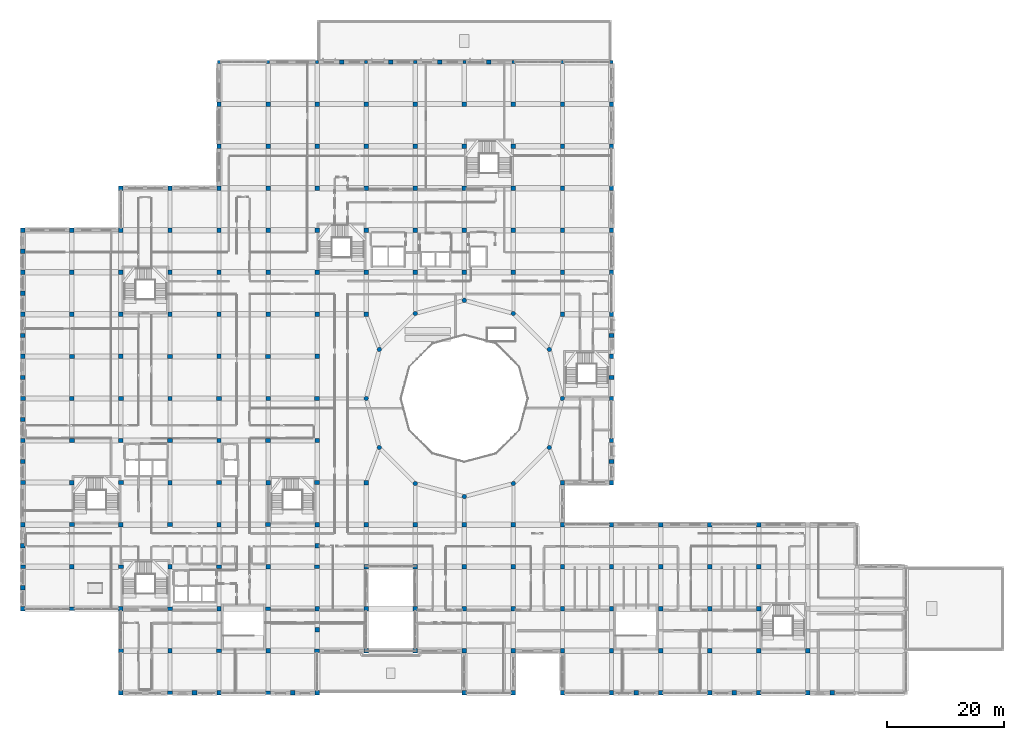
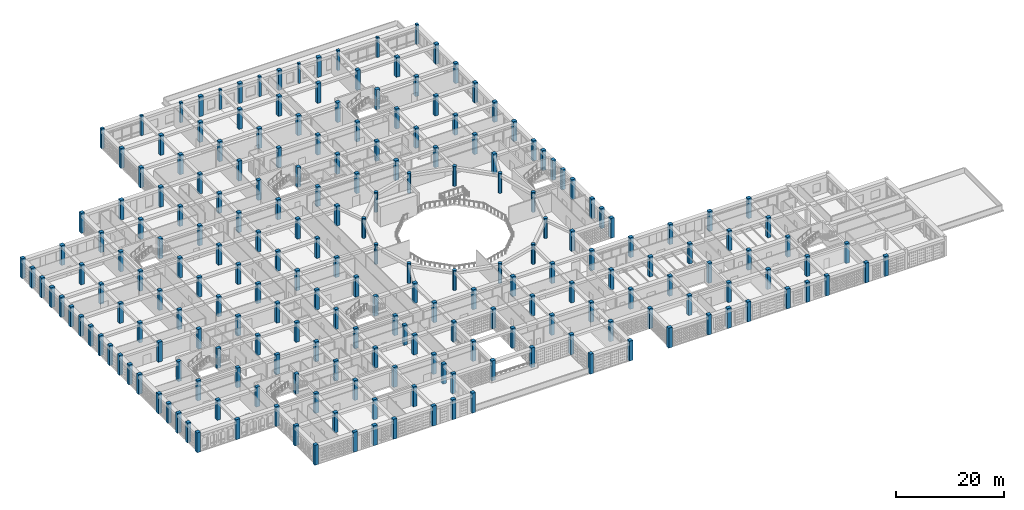
# One storey, part 1 of 111: 218 columns.
"""IFC4 building model written with IfcOpenShell, lengths in metres."""

from ifc_helpers import new_model, si_unit, derived_unit, direction, frame, origin, origin_2d, place, context, subcontext, project, spatial, rectangle, circle, extrude, material, material_profile, profile_set, type_object, element, save


model = new_model("IFC4")

# Units and contexts
model_context = context("Model", 3, precision=1e-05, world=origin(), true_north=direction((0.0, 1.0)))
body_context = subcontext(model_context, "Body", "Model", "MODEL_VIEW")
ifc_project = project(units=[si_unit("LENGTHUNIT", "METRE"), si_unit("AREAUNIT", "SQUARE_METRE"), si_unit("VOLUMEUNIT", "CUBIC_METRE"), si_unit("PLANEANGLEUNIT", "RADIAN"), si_unit("MASSUNIT", "GRAM", prefix="KILO"), derived_unit("THERMALTRANSMITTANCEUNIT", [(si_unit("POWERUNIT", "WATT"), 1), (si_unit("LENGTHUNIT", "METRE"), -2), (si_unit("THERMODYNAMICTEMPERATUREUNIT", "KELVIN"), -1)])], contexts=[model_context])

# Site, building, storey
site_placement = place(None, origin())
site = spatial("IfcSite", under=ifc_project, at=site_placement, CompositionType="ELEMENT")
building_placement = place(site_placement, origin())
building = spatial("IfcBuilding", under=site, at=building_placement, Name="Veybourne Emporium", CompositionType="ELEMENT")
storey_placement = place(building_placement, frame((0.0, 0.0, 9.89990234375)))
storey = spatial("IfcBuildingStorey", under=building, at=storey_placement, Name="L02", CompositionType="ELEMENT", Elevation=9.89990234375)

# Columns
ifc_material = material(Name="Concrete C40/50", Category="concrete")
ifc_material_profile_1 = material_profile(ifc_material, rectangle(XDim=0.75, YDim=0.75, at=origin_2d()), Name="RC 750x750")
ifc_profile_set_1 = profile_set([ifc_material_profile_1], Name="Concrete C40/50")
column_type_1 = type_object("IfcColumnType", Name="Col_C-03", PredefinedType="COLUMN", material=ifc_profile_set_1)
for number, where, z_axis, x_axis, name in (
    (1, (8.39990234375, 21.60009765625, 0.0), (0.0, 0.0, 1.0), (1.0, 0.0, 0.0), "Column C-03 L02 (1,3)"),
    (2, (8.39990234375, 36.0, 0.0), (0.0, 0.0, 1.0), (1.0, 0.0, 0.0), "Column C-03 L02 (1,5)"),
    (3, (8.39990234375, 50.39990234375, 0.0), (0.0, 0.0, 1.0), (1.0, 0.0, 0.0), "Column C-03 L02 (1,7)"),
    (4, (8.39990234375, 64.800048828125, 0.0), (0.0, 0.0, 1.0), (1.0, 0.0, 0.0), "Column C-03 L02 (1,9)"),
    (5, (8.39990234375, 72.0, 0.0), (0.0, 0.0, 1.0), (1.0, 0.0, 0.0), "Column C-03 L02 (1,10)"),
    (6, (8.39990234375, 79.199951171875, 0.0), (0.0, 0.0, 1.0), (1.0, 0.0, 0.0), "Column C-03 L02 (1,11)"),
    (7, (16.800048828125, 14.39990234375, 0.0), (0.0, 0.0, 1.0), (1.0, 0.0, 0.0), "Column C-03 L02 (2,2)"),
    (8, (16.800048828125, 28.800048828125, 0.0), (0.0, 0.0, 1.0), (1.0, 0.0, 0.0), "Column C-03 L02 (2,4)"),
    (9, (16.800048828125, 43.199951171875, 0.0), (0.0, 0.0, 1.0), (1.0, 0.0, 0.0), "Column C-03 L02 (2,6)"),
    (10, (16.800048828125, 57.60009765625, 0.0), (0.0, 0.0, 1.0), (1.0, 0.0, 0.0), "Column C-03 L02 (2,8)"),
    (11, (16.800048828125, 64.800048828125, 0.0), (0.0, 0.0, 1.0), (1.0, 0.0, 0.0), "Column C-03 L02 (2,9)"),
    (12, (16.800048828125, 72.0, 0.0), (0.0, 0.0, 1.0), (1.0, 0.0, 0.0), "Column C-03 L02 (2,10)"),
    (13, (16.800048828125, 79.199951171875, 0.0), (0.0, 0.0, 1.0), (1.0, 0.0, 0.0), "Column C-03 L02 (2,11)"),
    (14, (16.800048828125, 86.39990234375, 0.0), (0.0, 0.0, 1.0), (1.0, 0.0, 0.0), "Column C-03 L02 (2,12)"),
    (15, (25.199951171875, 7.199951171875, 0.0), (0.0, 0.0, 1.0), (1.0, 0.0, 0.0), "Column C-03 L02 (3,1)"),
    (16, (25.199951171875, 21.60009765625, 0.0), (0.0, 0.0, 1.0), (1.0, 0.0, 0.0), "Column C-03 L02 (3,3)"),
    (17, (25.199951171875, 36.0, 0.0), (0.0, 0.0, 1.0), (1.0, 0.0, 0.0), "Column C-03 L02 (3,5)"),
    (18, (25.199951171875, 50.39990234375, 0.0), (0.0, 0.0, 1.0), (1.0, 0.0, 0.0), "Column C-03 L02 (3,7)"),
    (19, (25.199951171875, 64.800048828125, 0.0), (0.0, 0.0, 1.0), (1.0, 0.0, 0.0), "Column C-03 L02 (3,9)"),
    (20, (25.199951171875, 72.0, 0.0), (0.0, 0.0, 1.0), (1.0, 0.0, 0.0), "Column C-03 L02 (3,10)"),
    (21, (25.199951171875, 79.199951171875, 0.0), (0.0, 0.0, 1.0), (1.0, 0.0, 0.0), "Column C-03 L02 (3,11)"),
    (22, (25.199951171875, 86.39990234375, 0.0), (0.0, 0.0, 1.0), (1.0, 0.0, 0.0), "Column C-03 L02 (3,12)"),
    (23, (33.60009765625, 14.39990234375, 0.0), (0.0, 0.0, 1.0), (1.0, 0.0, 0.0), "Column C-03 L02 (4,2)"),
    (24, (33.60009765625, 28.800048828125, 0.0), (0.0, 0.0, 1.0), (1.0, 0.0, 0.0), "Column C-03 L02 (4,4)"),
    (25, (33.60009765625, 43.199951171875, 0.0), (0.0, 0.0, 1.0), (1.0, 0.0, 0.0), "Column C-03 L02 (4,6)"),
    (26, (33.60009765625, 57.60009765625, 0.0), (0.0, 0.0, 1.0), (1.0, 0.0, 0.0), "Column C-03 L02 (4,8)"),
    (27, (33.60009765625, 64.800048828125, 0.0), (0.0, 0.0, 1.0), (1.0, 0.0, 0.0), "Column C-03 L02 (4,9)"),
    (28, (33.60009765625, 72.0, 0.0), (0.0, 0.0, 1.0), (1.0, 0.0, 0.0), "Column C-03 L02 (4,10)"),
    (29, (33.60009765625, 79.199951171875, 0.0), (0.0, 0.0, 1.0), (1.0, 0.0, 0.0), "Column C-03 L02 (4,11)"),
    (30, (33.60009765625, 86.39990234375, 0.0), (0.0, 0.0, 1.0), (1.0, 0.0, 0.0), "Column C-03 L02 (4,12)"),
    (31, (33.60009765625, 93.60009765625, 0.0), (0.0, 0.0, 1.0), (1.0, 0.0, 0.0), "Column C-03 L02 (4,13)"),
    (32, (33.60009765625, 100.800048828125, 0.0), (0.0, 0.0, 1.0), (1.0, 0.0, 0.0), "Column C-03 L02 (4,14)"),
    (33, (42.0, 7.199951171875, 0.0), (0.0, 0.0, 1.0), (1.0, 0.0, 0.0), "Column C-03 L02 (5,1)"),
    (34, (42.0, 21.60009765625, 0.0), (0.0, 0.0, 1.0), (1.0, 0.0, 0.0), "Column C-03 L02 (5,3)"),
    (35, (42.0, 36.0, 0.0), (0.0, 0.0, 1.0), (1.0, 0.0, 0.0), "Column C-03 L02 (5,5)"),
    (36, (42.0, 50.39990234375, 0.0), (0.0, 0.0, 1.0), (1.0, 0.0, 0.0), "Column C-03 L02 (5,7)"),
    (37, (42.0, 64.800048828125, 0.0), (0.0, 0.0, 1.0), (1.0, 0.0, 0.0), "Column C-03 L02 (5,9)"),
    (38, (42.0, 72.0, 0.0), (0.0, 0.0, 1.0), (1.0, 0.0, 0.0), "Column C-03 L02 (5,10)"),
    (39, (42.0, 79.199951171875, 0.0), (0.0, 0.0, 1.0), (1.0, 0.0, 0.0), "Column C-03 L02 (5,11)"),
    (40, (42.0, 86.39990234375, 0.0), (0.0, 0.0, 1.0), (1.0, 0.0, 0.0), "Column C-03 L02 (5,12)"),
    (41, (42.0, 93.60009765625, 0.0), (0.0, 0.0, 1.0), (1.0, 0.0, 0.0), "Column C-03 L02 (5,13)"),
    (42, (42.0, 100.800048828125, 0.0), (0.0, 0.0, 1.0), (1.0, 0.0, 0.0), "Column C-03 L02 (5,14)"),
    (43, (50.39990234375, 14.39990234375, 0.0), (0.0, 0.0, 1.0), (1.0, 0.0, 0.0), "Column C-03 L02 (6,2)"),
    (44, (50.39990234375, 28.800048828125, 0.0), (0.0, 0.0, 1.0), (1.0, 0.0, 0.0), "Column C-03 L02 (6,4)"),
    (45, (50.39990234375, 43.199951171875, 0.0), (0.0, 0.0, 1.0), (1.0, 0.0, 0.0), "Column C-03 L02 (6,6)"),
    (46, (50.39990234375, 57.60009765625, 0.0), (0.0, 0.0, 1.0), (1.0, 0.0, 0.0), "Column C-03 L02 (6,8)"),
    (47, (50.39990234375, 64.800048828125, 0.0), (0.0, 0.0, 1.0), (1.0, 0.0, 0.0), "Column C-03 L02 (6,9)"),
    (48, (50.39990234375, 72.0, 0.0), (0.0, 0.0, 1.0), (1.0, 0.0, 0.0), "Column C-03 L02 (6,10)"),
    (49, (50.39990234375, 79.199951171875, 0.0), (0.0, 0.0, 1.0), (1.0, 0.0, 0.0), "Column C-03 L02 (6,11)"),
    (50, (50.39990234375, 86.39990234375, 0.0), (0.0, 0.0, 1.0), (1.0, 0.0, 0.0), "Column C-03 L02 (6,12)"),
    (51, (50.39990234375, 93.60009765625, 0.0), (0.0, 0.0, 1.0), (1.0, 0.0, 0.0), "Column C-03 L02 (6,13)"),
    (52, (50.39990234375, 100.800048828125, 0.0), (0.0, 0.0, 1.0), (1.0, 0.0, 0.0), "Column C-03 L02 (6,14)"),
    (53, (58.800048828125, 7.199951171875, 0.0), (0.0, 0.0, 1.0), (1.0, 0.0, 0.0), "Column C-03 L02 (7,1)"),
    (54, (58.800048828125, 14.39990234375, 0.0), (0.0, 0.0, 1.0), (1.0, 0.0, 0.0), "Column C-03 L02 (7,2)"),
    (55, (58.800048828125, 21.60009765625, 0.0), (0.0, 0.0, 1.0), (1.0, 0.0, 0.0), "Column C-03 L02 (7,3)"),
    (56, (58.800048828125, 28.800048828125, 0.0), (0.0, 0.0, 1.0), (1.0, 0.0, 0.0), "Column C-03 L02 (7,4)"),
    (57, (58.800048828125, 36.0, 0.0), (0.0, 0.0, 1.0), (1.0, 0.0, 0.0), "Column C-03 L02 (7,5)"),
    (58, (58.800048828125, 64.800048828125, 0.0), (0.0, 0.0, 1.0), (1.0, 0.0, 0.0), "Column C-03 L02 (7,9)"),
    (59, (58.800048828125, 72.0, 0.0), (0.0, 0.0, 1.0), (1.0, 0.0, 0.0), "Column C-03 L02 (7,10)"),
    (60, (58.800048828125, 79.199951171875, 0.0), (0.0, 0.0, 1.0), (1.0, 0.0, 0.0), "Column C-03 L02 (7,11)"),
    (61, (58.800048828125, 86.39990234375, 0.0), (0.0, 0.0, 1.0), (1.0, 0.0, 0.0), "Column C-03 L02 (7,12)"),
    (62, (58.800048828125, 93.60009765625, 0.0), (0.0, 0.0, 1.0), (1.0, 0.0, 0.0), "Column C-03 L02 (7,13)"),
    (63, (58.800048828125, 100.800048828125, 0.0), (0.0, 0.0, 1.0), (1.0, 0.0, 0.0), "Column C-03 L02 (7,14)"),
    (64, (67.199951171875, 7.199951171875, 0.0), (0.0, 0.0, 1.0), (1.0, 0.0, 0.0), "Column C-03 L02 (8,1)"),
    (65, (67.199951171875, 14.39990234375, 0.0), (0.0, 0.0, 1.0), (1.0, 0.0, 0.0), "Column C-03 L02 (8,2)"),
    (66, (67.199951171875, 21.60009765625, 0.0), (0.0, 0.0, 1.0), (1.0, 0.0, 0.0), "Column C-03 L02 (8,3)"),
    (67, (67.199951171875, 28.800048828125, 0.0), (0.0, 0.0, 1.0), (1.0, 0.0, 0.0), "Column C-03 L02 (8,4)"),
    (68, (67.199951171875, 72.0, 0.0), (0.0, 0.0, 1.0), (1.0, 0.0, 0.0), "Column C-03 L02 (8,10)"),
    (69, (67.199951171875, 79.199951171875, 0.0), (0.0, 0.0, 1.0), (1.0, 0.0, 0.0), "Column C-03 L02 (8,11)"),
    (70, (67.199951171875, 86.39990234375, 0.0), (0.0, 0.0, 1.0), (1.0, 0.0, 0.0), "Column C-03 L02 (8,12)"),
    (71, (67.199951171875, 93.60009765625, 0.0), (0.0, 0.0, 1.0), (1.0, 0.0, 0.0), "Column C-03 L02 (8,13)"),
    (72, (67.199951171875, 100.800048828125, 0.0), (0.0, 0.0, 1.0), (1.0, 0.0, 0.0), "Column C-03 L02 (8,14)"),
    (73, (75.60009765625, 7.199951171875, 0.0), (0.0, 0.0, 1.0), (1.0, 0.0, 0.0), "Column C-03 L02 (9,1)"),
    (74, (75.60009765625, 14.39990234375, 0.0), (0.0, 0.0, 1.0), (1.0, 0.0, 0.0), "Column C-03 L02 (9,2)"),
    (75, (75.60009765625, 21.60009765625, 0.0), (0.0, 0.0, 1.0), (1.0, 0.0, 0.0), "Column C-03 L02 (9,3)"),
    (76, (75.60009765625, 28.800048828125, 0.0), (0.0, 0.0, 1.0), (1.0, 0.0, 0.0), "Column C-03 L02 (9,4)"),
    (77, (75.60009765625, 72.0, 0.0), (0.0, 0.0, 1.0), (1.0, 0.0, 0.0), "Column C-03 L02 (9,10)"),
    (78, (75.60009765625, 79.199951171875, 0.0), (0.0, 0.0, 1.0), (1.0, 0.0, 0.0), "Column C-03 L02 (9,11)"),
    (79, (75.60009765625, 86.39990234375, 0.0), (0.0, 0.0, 1.0), (1.0, 0.0, 0.0), "Column C-03 L02 (9,12)"),
    (80, (75.60009765625, 93.60009765625, 0.0), (0.0, 0.0, 1.0), (1.0, 0.0, 0.0), "Column C-03 L02 (9,13)"),
    (81, (75.60009765625, 100.800048828125, 0.0), (0.0, 0.0, 1.0), (1.0, 0.0, 0.0), "Column C-03 L02 (9,14)"),
    (82, (84.0, 7.199951171875, 0.0), (0.0, 0.0, 1.0), (1.0, 0.0, 0.0), "Column C-03 L02 (10,1)"),
    (83, (84.0, 14.39990234375, 0.0), (0.0, 0.0, 1.0), (1.0, 0.0, 0.0), "Column C-03 L02 (10,2)"),
    (84, (84.0, 21.60009765625, 0.0), (0.0, 0.0, 1.0), (1.0, 0.0, 0.0), "Column C-03 L02 (10,3)"),
    (85, (84.0, 28.800048828125, 0.0), (0.0, 0.0, 1.0), (1.0, 0.0, 0.0), "Column C-03 L02 (10,4)"),
    (86, (84.0, 72.0, 0.0), (0.0, 0.0, 1.0), (1.0, 0.0, 0.0), "Column C-03 L02 (10,10)"),
    (87, (84.0, 79.199951171875, 0.0), (0.0, 0.0, 1.0), (1.0, 0.0, 0.0), "Column C-03 L02 (10,11)"),
    (88, (84.0, 86.39990234375, 0.0), (0.0, 0.0, 1.0), (1.0, 0.0, 0.0), "Column C-03 L02 (10,12)"),
    (89, (84.0, 93.60009765625, 0.0), (0.0, 0.0, 1.0), (1.0, 0.0, 0.0), "Column C-03 L02 (10,13)"),
    (90, (84.0, 100.800048828125, 0.0), (0.0, 0.0, 1.0), (1.0, 0.0, 0.0), "Column C-03 L02 (10,14)"),
    (91, (92.39990234375, 7.199951171875, 0.0), (0.0, 0.0, 1.0), (1.0, 0.0, 0.0), "Column C-03 L02 (11,1)"),
    (92, (92.39990234375, 14.39990234375, 0.0), (0.0, 0.0, 1.0), (1.0, 0.0, 0.0), "Column C-03 L02 (11,2)"),
    (93, (92.39990234375, 21.60009765625, 0.0), (0.0, 0.0, 1.0), (1.0, 0.0, 0.0), "Column C-03 L02 (11,3)"),
    (94, (92.39990234375, 28.800048828125, 0.0), (0.0, 0.0, 1.0), (1.0, 0.0, 0.0), "Column C-03 L02 (11,4)"),
    (95, (92.39990234375, 36.0, 0.0), (0.0, 0.0, 1.0), (1.0, 0.0, 0.0), "Column C-03 L02 (11,5)"),
    (96, (92.39990234375, 64.800048828125, 0.0), (0.0, 0.0, 1.0), (1.0, 0.0, 0.0), "Column C-03 L02 (11,9)"),
    (97, (92.39990234375, 72.0, 0.0), (0.0, 0.0, 1.0), (1.0, 0.0, 0.0), "Column C-03 L02 (11,10)"),
    (98, (92.39990234375, 79.199951171875, 0.0), (0.0, 0.0, 1.0), (1.0, 0.0, 0.0), "Column C-03 L02 (11,11)"),
    (99, (92.39990234375, 86.39990234375, 0.0), (0.0, 0.0, 1.0), (1.0, 0.0, 0.0), "Column C-03 L02 (11,12)"),
    (100, (92.39990234375, 93.60009765625, 0.0), (0.0, 0.0, 1.0), (1.0, 0.0, 0.0), "Column C-03 L02 (11,13)"),
    (101, (92.39990234375, 100.800048828125, 0.0), (0.0, 0.0, 1.0), (1.0, 0.0, 0.0), "Column C-03 L02 (11,14)"),
    (102, (100.800048828125, 7.199951171875, 0.0), (0.0, 0.0, 1.0), (1.0, 0.0, 0.0), "Column C-03 L02 (12,1)"),
    (103, (100.800048828125, 14.39990234375, 0.0), (0.0, 0.0, 1.0), (1.0, 0.0, 0.0), "Column C-03 L02 (12,2)"),
    (104, (100.800048828125, 21.60009765625, 0.0), (0.0, 0.0, 1.0), (1.0, 0.0, 0.0), "Column C-03 L02 (12,3)"),
    (105, (100.800048828125, 28.800048828125, 0.0), (0.0, 0.0, 1.0), (1.0, 0.0, 0.0), "Column C-03 L02 (12,4)"),
    (106, (100.800048828125, 36.0, 0.0), (0.0, 0.0, 1.0), (1.0, 0.0, 0.0), "Column C-03 L02 (12,5)"),
    (107, (100.800048828125, 43.199951171875, 0.0), (0.0, 0.0, 1.0), (1.0, 0.0, 0.0), "Column C-03 L02 (12,6)"),
    (108, (100.800048828125, 50.39990234375, 0.0), (0.0, 0.0, 1.0), (1.0, 0.0, 0.0), "Column C-03 L02 (12,7)"),
    (109, (100.800048828125, 57.60009765625, 0.0), (0.0, 0.0, 1.0), (1.0, 0.0, 0.0), "Column C-03 L02 (12,8)"),
    (110, (100.800048828125, 64.800048828125, 0.0), (0.0, 0.0, 1.0), (1.0, 0.0, 0.0), "Column C-03 L02 (12,9)"),
    (111, (100.800048828125, 72.0, 0.0), (0.0, 0.0, 1.0), (1.0, 0.0, 0.0), "Column C-03 L02 (12,10)"),
    (112, (100.800048828125, 79.199951171875, 0.0), (0.0, 0.0, 1.0), (1.0, 0.0, 0.0), "Column C-03 L02 (12,11)"),
    (113, (100.800048828125, 86.39990234375, 0.0), (0.0, 0.0, 1.0), (1.0, 0.0, 0.0), "Column C-03 L02 (12,12)"),
    (114, (100.800048828125, 93.60009765625, 0.0), (0.0, 0.0, 1.0), (1.0, 0.0, 0.0), "Column C-03 L02 (12,13)"),
    (115, (100.800048828125, 100.800048828125, 0.0), (0.0, 0.0, 1.0), (1.0, 0.0, 0.0), "Column C-03 L02 (12,14)"),
    (116, (109.199951171875, 7.199951171875, 0.0), (0.0, 0.0, 1.0), (1.0, 0.0, 0.0), "Column C-03 L02 (13,1)"),
    (117, (109.199951171875, 14.39990234375, 0.0), (0.0, 0.0, 1.0), (1.0, 0.0, 0.0), "Column C-03 L02 (13,2)"),
    (118, (109.199951171875, 21.60009765625, 0.0), (0.0, 0.0, 1.0), (1.0, 0.0, 0.0), "Column C-03 L02 (13,3)"),
    (119, (109.199951171875, 28.800048828125, 0.0), (0.0, 0.0, 1.0), (1.0, 0.0, 0.0), "Column C-03 L02 (13,4)"),
    (120, (117.60009765625, 7.199951171875, 0.0), (0.0, 0.0, 1.0), (1.0, 0.0, 0.0), "Column C-03 L02 (14,1)"),
    (121, (117.60009765625, 14.39990234375, 0.0), (0.0, 0.0, 1.0), (1.0, 0.0, 0.0), "Column C-03 L02 (14,2)"),
    (122, (117.60009765625, 21.60009765625, 0.0), (0.0, 0.0, 1.0), (1.0, 0.0, 0.0), "Column C-03 L02 (14,3)"),
    (123, (117.60009765625, 28.800048828125, 0.0), (0.0, 0.0, 1.0), (1.0, 0.0, 0.0), "Column C-03 L02 (14,4)"),
    (124, (126.0, 7.199951171875, 0.0), (0.0, 0.0, 1.0), (1.0, 0.0, 0.0), "Column C-03 L02 (15,1)"),
    (125, (126.0, 14.39990234375, 0.0), (0.0, 0.0, 1.0), (1.0, 0.0, 0.0), "Column C-03 L02 (15,2)"),
    (126, (126.0, 21.60009765625, 0.0), (0.0, 0.0, 1.0), (1.0, 0.0, 0.0), "Column C-03 L02 (15,3)"),
    (127, (126.0, 28.800048828125, 0.0), (0.0, 0.0, 1.0), (1.0, 0.0, 0.0), "Column C-03 L02 (15,4)"),
    (128, (134.39990234375, 7.199951171875, 0.0), (0.0, 0.0, 1.0), (1.0, 0.0, 0.0), "Column C-03 L02 (16,1)"),
):
    element("IfcColumn", number, at=place(storey_placement, frame(where, z_axis=z_axis, x_axis=x_axis)), inside=storey, type_object=column_type_1, Name=name, PredefinedType="COLUMN", context=body_context, shape_type="SweptSolid", body=[
        extrude(rectangle(XDim=0.75, YDim=0.75, at=origin_2d()), origin(), (0.0, 0.0, 1.0), 4.5),
    ])
ifc_material_profile_2 = material_profile(ifc_material, rectangle(XDim=0.550048828125, YDim=0.550048828125, at=origin_2d()), Name="RC 550x550")
ifc_profile_set_2 = profile_set([ifc_material_profile_2], Name="Concrete C40/50")
column_type_2 = type_object("IfcColumnType", Name="Col_C-07", PredefinedType="COLUMN", material=ifc_profile_set_2)
for number, where, z_axis, x_axis, name in (
    (129, (33.60009765625, 108.0, 0.0), (0.0, 0.0, 1.0), (1.0, 0.0, 0.0), "Column C-07 L02 (4,15)"),
    (130, (50.39990234375, 108.0, 0.0), (0.0, 0.0, 1.0), (1.0, 0.0, 0.0), "Column C-07 L02 (6,15)"),
    (131, (67.199951171875, 108.0, 0.0), (0.0, 0.0, 1.0), (1.0, 0.0, 0.0), "Column C-07 L02 (8,15)"),
    (132, (84.0, 108.0, 0.0), (0.0, 0.0, 1.0), (1.0, 0.0, 0.0), "Column C-07 L02 (10,15)"),
    (133, (100.800048828125, 108.0, 0.0), (0.0, 0.0, 1.0), (1.0, 0.0, 0.0), "Column C-07 L02 (12,15)"),
):
    element("IfcColumn", number, at=place(storey_placement, frame(where, z_axis=z_axis, x_axis=x_axis)), inside=storey, type_object=column_type_2, Name=name, PredefinedType="COLUMN", context=body_context, shape_type="SweptSolid", body=[
        extrude(rectangle(XDim=0.550048828125, YDim=0.550048828125, at=origin_2d()), origin(), (0.0, 0.0, 1.0), 4.5),
    ])
ifc_material_profile_3 = material_profile(ifc_material, rectangle(XDim=0.5, YDim=0.5, at=origin_2d()), Name="RC 500x500")
ifc_profile_set_3 = profile_set([ifc_material_profile_3], Name="Concrete C40/50")
column_type_3 = type_object("IfcColumnType", Name="Col_C-08", PredefinedType="COLUMN", material=ifc_profile_set_3)
for number, where, z_axis, x_axis, name in (
    (134, (42.0, 108.0, 0.0), (0.0, 0.0, 1.0), (1.0, 0.0, 0.0), "Column C-08 L02 (5,15)"),
    (135, (58.800048828125, 108.0, 0.0), (0.0, 0.0, 1.0), (1.0, 0.0, 0.0), "Column C-08 L02 (7,15)"),
    (136, (75.60009765625, 108.0, 0.0), (0.0, 0.0, 1.0), (1.0, 0.0, 0.0), "Column C-08 L02 (9,15)"),
    (137, (92.39990234375, 108.0, 0.0), (0.0, 0.0, 1.0), (1.0, 0.0, 0.0), "Column C-08 L02 (11,15)"),
):
    element("IfcColumn", number, at=place(storey_placement, frame(where, z_axis=z_axis, x_axis=x_axis)), inside=storey, type_object=column_type_3, Name=name, PredefinedType="COLUMN", context=body_context, shape_type="SweptSolid", body=[
        extrude(rectangle(XDim=0.5, YDim=0.5, at=origin_2d()), origin(), (0.0, 0.0, 1.0), 4.5),
    ])
ifc_material_profile_4 = material_profile(ifc_material, rectangle(XDim=0.85009765625, YDim=0.64990234375, at=origin_2d()), Name="RC 850x650")
ifc_profile_set_4 = profile_set([ifc_material_profile_4], Name="Concrete C40/50")
column_type_4 = type_object("IfcColumnType", Name="Col_C-09", PredefinedType="COLUMN", material=ifc_profile_set_4)
for number, where, z_axis, x_axis, name in (
    (138, (8.39990234375, 14.39990234375, 0.0), (0.0, 0.0, 1.0), (1.0, 0.0, 0.0), "Column C-09 L02 (1,2)"),
    (139, (8.39990234375, 28.800048828125, 0.0), (0.0, 0.0, 1.0), (1.0, 0.0, 0.0), "Column C-09 L02 (1,4)"),
    (140, (8.39990234375, 43.199951171875, 0.0), (0.0, 0.0, 1.0), (1.0, 0.0, 0.0), "Column C-09 L02 (1,6)"),
    (141, (8.39990234375, 57.60009765625, 0.0), (0.0, 0.0, 1.0), (1.0, 0.0, 0.0), "Column C-09 L02 (1,8)"),
    (142, (16.800048828125, 7.199951171875, 0.0), (0.0, 0.0, 1.0), (1.0, 0.0, 0.0), "Column C-09 L02 (2,1)"),
    (143, (16.800048828125, 21.60009765625, 0.0), (0.0, 0.0, 1.0), (1.0, 0.0, 0.0), "Column C-09 L02 (2,3)"),
    (144, (16.800048828125, 36.0, 0.0), (0.0, 0.0, 1.0), (1.0, 0.0, 0.0), "Column C-09 L02 (2,5)"),
    (145, (16.800048828125, 50.39990234375, 0.0), (0.0, 0.0, 1.0), (1.0, 0.0, 0.0), "Column C-09 L02 (2,7)"),
    (146, (25.199951171875, 14.39990234375, 0.0), (0.0, 0.0, 1.0), (1.0, 0.0, 0.0), "Column C-09 L02 (3,2)"),
    (147, (25.199951171875, 28.800048828125, 0.0), (0.0, 0.0, 1.0), (1.0, 0.0, 0.0), "Column C-09 L02 (3,4)"),
    (148, (25.199951171875, 43.199951171875, 0.0), (0.0, 0.0, 1.0), (1.0, 0.0, 0.0), "Column C-09 L02 (3,6)"),
    (149, (25.199951171875, 57.60009765625, 0.0), (0.0, 0.0, 1.0), (1.0, 0.0, 0.0), "Column C-09 L02 (3,8)"),
    (150, (33.60009765625, 7.199951171875, 0.0), (0.0, 0.0, 1.0), (1.0, 0.0, 0.0), "Column C-09 L02 (4,1)"),
    (151, (33.60009765625, 21.60009765625, 0.0), (0.0, 0.0, 1.0), (1.0, 0.0, 0.0), "Column C-09 L02 (4,3)"),
    (152, (33.60009765625, 36.0, 0.0), (0.0, 0.0, 1.0), (1.0, 0.0, 0.0), "Column C-09 L02 (4,5)"),
    (153, (33.60009765625, 50.39990234375, 0.0), (0.0, 0.0, 1.0), (1.0, 0.0, 0.0), "Column C-09 L02 (4,7)"),
    (154, (42.0, 14.39990234375, 0.0), (0.0, 0.0, 1.0), (1.0, 0.0, 0.0), "Column C-09 L02 (5,2)"),
    (155, (42.0, 28.800048828125, 0.0), (0.0, 0.0, 1.0), (1.0, 0.0, 0.0), "Column C-09 L02 (5,4)"),
    (156, (42.0, 43.199951171875, 0.0), (0.0, 0.0, 1.0), (1.0, 0.0, 0.0), "Column C-09 L02 (5,6)"),
    (157, (42.0, 57.60009765625, 0.0), (0.0, 0.0, 1.0), (1.0, 0.0, 0.0), "Column C-09 L02 (5,8)"),
    (158, (50.39990234375, 7.199951171875, 0.0), (0.0, 0.0, 1.0), (1.0, 0.0, 0.0), "Column C-09 L02 (6,1)"),
    (159, (50.39990234375, 21.60009765625, 0.0), (0.0, 0.0, 1.0), (1.0, 0.0, 0.0), "Column C-09 L02 (6,3)"),
    (160, (50.39990234375, 36.0, 0.0), (0.0, 0.0, 1.0), (1.0, 0.0, 0.0), "Column C-09 L02 (6,5)"),
    (161, (50.39990234375, 50.39990234375, 0.0), (0.0, 0.0, 1.0), (1.0, 0.0, 0.0), "Column C-09 L02 (6,7)"),
):
    element("IfcColumn", number, at=place(storey_placement, frame(where, z_axis=z_axis, x_axis=x_axis)), inside=storey, type_object=column_type_4, Name=name, PredefinedType="COLUMN", context=body_context, shape_type="SweptSolid", body=[
        extrude(rectangle(XDim=0.85009765625, YDim=0.64990234375, at=origin_2d()), origin(), (0.0, 0.0, 1.0), 4.5),
    ])
ifc_material_profile_5 = material_profile(ifc_material, circle(Radius=0.375, at=origin_2d()), Name="RC D750")
ifc_profile_set_5 = profile_set([ifc_material_profile_5], Name="Concrete C40/50")
column_type_5 = type_object("IfcColumnType", Name="Col_CD-02", PredefinedType="COLUMN", material=ifc_profile_set_5)
for number, where, z_axis, x_axis, name in (
    (162, (92.39990234375, 50.39990234375, 0.0), (0.0, 0.0, 1.0), (1.0, 0.0, 0.0), "Atrium drum column CD-02 L02-01"),
    (163, (90.149169921875, 58.800048828125, 0.0), (0.0, 0.0, 1.0), (1.0, 0.0, 0.0), "Atrium drum column CD-02 L02-02"),
    (164, (84.0, 64.94921875, 0.0), (0.0, 0.0, 1.0), (1.0, 0.0, 0.0), "Atrium drum column CD-02 L02-03"),
    (165, (75.60009765625, 67.199951171875, 0.0), (0.0, 0.0, 1.0), (1.0, 0.0, 0.0), "Atrium drum column CD-02 L02-04"),
    (166, (67.199951171875, 64.94921875, 0.0), (0.0, 0.0, 1.0), (1.0, 0.0, 0.0), "Atrium drum column CD-02 L02-05"),
    (167, (61.05078125, 58.800048828125, 0.0), (0.0, 0.0, 1.0), (1.0, 0.0, 0.0), "Atrium drum column CD-02 L02-06"),
    (168, (58.800048828125, 50.39990234375, 0.0), (0.0, 0.0, 1.0), (1.0, 0.0, 0.0), "Atrium drum column CD-02 L02-07"),
    (169, (61.05078125, 42.0, 0.0), (0.0, 0.0, 1.0), (1.0, 0.0, 0.0), "Atrium drum column CD-02 L02-08"),
    (170, (67.199951171875, 35.850830078125, 0.0), (0.0, 0.0, 1.0), (1.0, 0.0, 0.0), "Atrium drum column CD-02 L02-09"),
    (171, (75.60009765625, 33.60009765625, 0.0), (0.0, 0.0, 1.0), (1.0, 0.0, 0.0), "Atrium drum column CD-02 L02-10"),
    (172, (84.0, 35.850830078125, 0.0), (0.0, 0.0, 1.0), (1.0, 0.0, 0.0), "Atrium drum column CD-02 L02-11"),
    (173, (90.149169921875, 42.0, 0.0), (0.0, 0.0, 1.0), (1.0, 0.0, 0.0), "Atrium drum column CD-02 L02-12"),
):
    element("IfcColumn", number, at=place(storey_placement, frame(where, z_axis=z_axis, x_axis=x_axis)), inside=storey, type_object=column_type_5, Name=name, PredefinedType="COLUMN", context=body_context, shape_type="SweptSolid", body=[
        extrude(circle(Radius=0.375, at=origin_2d()), origin(), (0.0, 0.0, 1.0), 4.5),
    ])
ifc_material_profile_6 = material_profile(ifc_material, rectangle(XDim=0.75, YDim=0.75, at=origin_2d()), Name="RC 750x750")
ifc_profile_set_6 = profile_set([ifc_material_profile_6], Name="Concrete C40/50")
column_type_6 = type_object("IfcColumnType", Name="Col_CE-03", PredefinedType="COLUMN", material=ifc_profile_set_6)
for number, where, z_axis, x_axis, name in (
    (174, (0.0, 14.39990234375, 0.0), (0.0, 0.0, 1.0), (1.0, 0.0, 0.0), "Column CE-03 L02 (0,2)"),
    (175, (0.0, 28.800048828125, 0.0), (0.0, 0.0, 1.0), (1.0, 0.0, 0.0), "Column CE-03 L02 (0,4)"),
    (176, (0.0, 43.199951171875, 0.0), (0.0, 0.0, 1.0), (1.0, 0.0, 0.0), "Column CE-03 L02 (0,6)"),
    (177, (0.0, 57.60009765625, 0.0), (0.0, 0.0, 1.0), (1.0, 0.0, 0.0), "Column CE-03 L02 (0,8)"),
    (178, (0.0, 64.800048828125, 0.0), (0.0, 0.0, 1.0), (1.0, 0.0, 0.0), "Column CE-03 L02 (0,9)"),
    (179, (0.0, 72.0, 0.0), (0.0, 0.0, 1.0), (1.0, 0.0, 0.0), "Column CE-03 L02 (0,10)"),
    (180, (0.0, 79.199951171875, 0.0), (0.0, 0.0, 1.0), (1.0, 0.0, 0.0), "Column CE-03 L02 (0,11)"),
    (181, (16.800048828125, 0.0, 0.0), (0.0, 0.0, 1.0), (1.0, 0.0, 0.0), "Column CE-03 L02 (2,0)"),
    (182, (33.60009765625, 0.0, 0.0), (0.0, 0.0, 1.0), (1.0, 0.0, 0.0), "Column CE-03 L02 (4,0)"),
    (183, (50.39990234375, 0.0, 0.0), (0.0, 0.0, 1.0), (1.0, 0.0, 0.0), "Column CE-03 L02 (6,0)"),
    (184, (75.60009765625, 0.0, 0.0), (0.0, 0.0, 1.0), (1.0, 0.0, 0.0), "Column CE-03 L02 (9,0)"),
    (185, (84.0, 0.0, 0.0), (0.0, 0.0, 1.0), (1.0, 0.0, 0.0), "Column CE-03 L02 (10,0)"),
    (186, (92.39990234375, 0.0, 0.0), (0.0, 0.0, 1.0), (1.0, 0.0, 0.0), "Column CE-03 L02 (11,0)"),
    (187, (100.800048828125, 0.0, 0.0), (0.0, 0.0, 1.0), (1.0, 0.0, 0.0), "Column CE-03 L02 (12,0)"),
    (188, (109.199951171875, 0.0, 0.0), (0.0, 0.0, 1.0), (1.0, 0.0, 0.0), "Column CE-03 L02 (13,0)"),
    (189, (117.60009765625, 0.0, 0.0), (0.0, 0.0, 1.0), (1.0, 0.0, 0.0), "Column CE-03 L02 (14,0)"),
    (190, (126.0, 0.0, 0.0), (0.0, 0.0, 1.0), (1.0, 0.0, 0.0), "Column CE-03 L02 (15,0)"),
    (191, (134.39990234375, 0.0, 0.0), (0.0, 0.0, 1.0), (1.0, 0.0, 0.0), "Column CE-03 L02 (16,0)"),
):
    element("IfcColumn", number, at=place(storey_placement, frame(where, z_axis=z_axis, x_axis=x_axis)), inside=storey, type_object=column_type_6, Name=name, PredefinedType="COLUMN", context=body_context, shape_type="SweptSolid", body=[
        extrude(rectangle(XDim=0.75, YDim=0.75, at=origin_2d()), origin(), (0.0, 0.0, 1.0), 4.5),
    ])
ifc_material_profile_7 = material_profile(ifc_material, rectangle(XDim=0.85009765625, YDim=0.64990234375, at=origin_2d()), Name="RC 850x650")
ifc_profile_set_7 = profile_set([ifc_material_profile_7], Name="Concrete C40/50")
column_type_7 = type_object("IfcColumnType", Name="Col_CE-09", PredefinedType="COLUMN", material=ifc_profile_set_7)
for number, where, z_axis, x_axis, name in (
    (192, (0.0, 21.60009765625, 0.0), (0.0, 0.0, 1.0), (1.0, 0.0, 0.0), "Column CE-09 L02 (0,3)"),
    (193, (0.0, 36.0, 0.0), (0.0, 0.0, 1.0), (1.0, 0.0, 0.0), "Column CE-09 L02 (0,5)"),
    (194, (0.0, 50.39990234375, 0.0), (0.0, 0.0, 1.0), (1.0, 0.0, 0.0), "Column CE-09 L02 (0,7)"),
    (195, (25.199951171875, 0.0, 0.0), (0.0, 0.0, 1.0), (1.0, 0.0, 0.0), "Column CE-09 L02 (3,0)"),
    (196, (42.0, 0.0, 0.0), (0.0, 0.0, 1.0), (1.0, 0.0, 0.0), "Column CE-09 L02 (5,0)"),
):
    element("IfcColumn", number, at=place(storey_placement, frame(where, z_axis=z_axis, x_axis=x_axis)), inside=storey, type_object=column_type_7, Name=name, PredefinedType="COLUMN", context=body_context, shape_type="SweptSolid", body=[
        extrude(rectangle(XDim=0.85009765625, YDim=0.64990234375, at=origin_2d()), origin(), (0.0, 0.0, 1.0), 4.5),
    ])
ifc_material_profile_8 = material_profile(ifc_material, rectangle(XDim=0.780029296875, YDim=0.719970703125, at=origin_2d()), Name="RC 780x720")
ifc_profile_set_8 = profile_set([ifc_material_profile_8], Name="Concrete C40/50")
column_type_8 = type_object("IfcColumnType", Name="Col_CE-11", PredefinedType="PILASTER", material=ifc_profile_set_8)
for number, where, z_axis, x_axis, name in (
    (197, (0.0, 18.0, 0.0), (0.0, 0.0, 1.0), (1.0, 0.0, 0.0), "Fluted stone pilaster CE-11 L02-01"),
    (198, (0.0, 25.199951171875, 0.0), (0.0, 0.0, 1.0), (1.0, 0.0, 0.0), "Fluted stone pilaster CE-11 L02-02"),
    (199, (0.0, 39.60009765625, 0.0), (0.0, 0.0, 1.0), (1.0, 0.0, 0.0), "Fluted stone pilaster CE-11 L02-03"),
    (200, (0.0, 46.800048828125, 0.0), (0.0, 0.0, 1.0), (1.0, 0.0, 0.0), "Fluted stone pilaster CE-11 L02-04"),
    (201, (0.0, 54.0, 0.0), (0.0, 0.0, 1.0), (1.0, 0.0, 0.0), "Fluted stone pilaster CE-11 L02-05"),
    (202, (0.0, 61.199951171875, 0.0), (0.0, 0.0, 1.0), (1.0, 0.0, 0.0), "Fluted stone pilaster CE-11 L02-06"),
    (203, (0.0, 68.39990234375, 0.0), (0.0, 0.0, 1.0), (1.0, 0.0, 0.0), "Fluted stone pilaster CE-11 L02-07"),
    (204, (0.0, 75.60009765625, 0.0), (0.0, 0.0, 1.0), (1.0, 0.0, 0.0), "Fluted stone pilaster CE-11 L02-08"),
    (205, (54.60009765625, 108.0, 0.0), (0.0, 0.0, 1.0), (1.0, 0.0, 0.0), "Fluted stone pilaster CE-11 L02-09"),
    (206, (63.0, 108.0, 0.0), (0.0, 0.0, 1.0), (1.0, 0.0, 0.0), "Fluted stone pilaster CE-11 L02-10"),
    (207, (71.39990234375, 108.0, 0.0), (0.0, 0.0, 1.0), (1.0, 0.0, 0.0), "Fluted stone pilaster CE-11 L02-11"),
    (208, (79.800048828125, 108.0, 0.0), (0.0, 0.0, 1.0), (1.0, 0.0, 0.0), "Fluted stone pilaster CE-11 L02-12"),
    (209, (29.39990234375, 0.0, 0.0), (0.0, 0.0, 1.0), (1.0, 0.0, 0.0), "Fluted stone pilaster CE-11 L02-13"),
    (210, (46.199951171875, 0.0, 0.0), (0.0, 0.0, 1.0), (1.0, 0.0, 0.0), "Fluted stone pilaster CE-11 L02-14"),
    (211, (105.0, 0.0, 0.0), (0.0, 0.0, 1.0), (1.0, 0.0, 0.0), "Fluted stone pilaster CE-11 L02-15"),
    (212, (121.800048828125, 0.0, 0.0), (0.0, 0.0, 1.0), (1.0, 0.0, 0.0), "Fluted stone pilaster CE-11 L02-16"),
    (213, (138.60009765625, 0.0, 0.0), (0.0, 0.0, 1.0), (1.0, 0.0, 0.0), "Fluted stone pilaster CE-11 L02-17"),
    (214, (50.39990234375, 10.800048828125, 0.0), (0.0, 0.0, 1.0), (1.0, 0.0, 0.0), "Fluted stone pilaster CE-11 L02-18"),
    (215, (50.39990234375, 25.199951171875, 0.0), (0.0, 0.0, 1.0), (1.0, 0.0, 0.0), "Fluted stone pilaster CE-11 L02-19"),
    (216, (100.800048828125, 39.60009765625, 0.0), (0.0, 0.0, 1.0), (1.0, 0.0, 0.0), "Fluted stone pilaster CE-11 L02-20"),
    (217, (100.800048828125, 54.0, 0.0), (0.0, 0.0, 1.0), (1.0, 0.0, 0.0), "Fluted stone pilaster CE-11 L02-21"),
    (218, (100.800048828125, 61.199951171875, 0.0), (0.0, 0.0, 1.0), (1.0, 0.0, 0.0), "Fluted stone pilaster CE-11 L02-22"),
):
    element("IfcColumn", number, at=place(storey_placement, frame(where, z_axis=z_axis, x_axis=x_axis)), inside=storey, type_object=column_type_8, Name=name, PredefinedType="PILASTER", context=body_context, shape_type="SweptSolid", body=[
        extrude(rectangle(XDim=0.780029296875, YDim=0.719970703125, at=origin_2d()), origin(), (0.0, 0.0, 1.0), 4.5),
    ])

save(model, "model.ifc")
